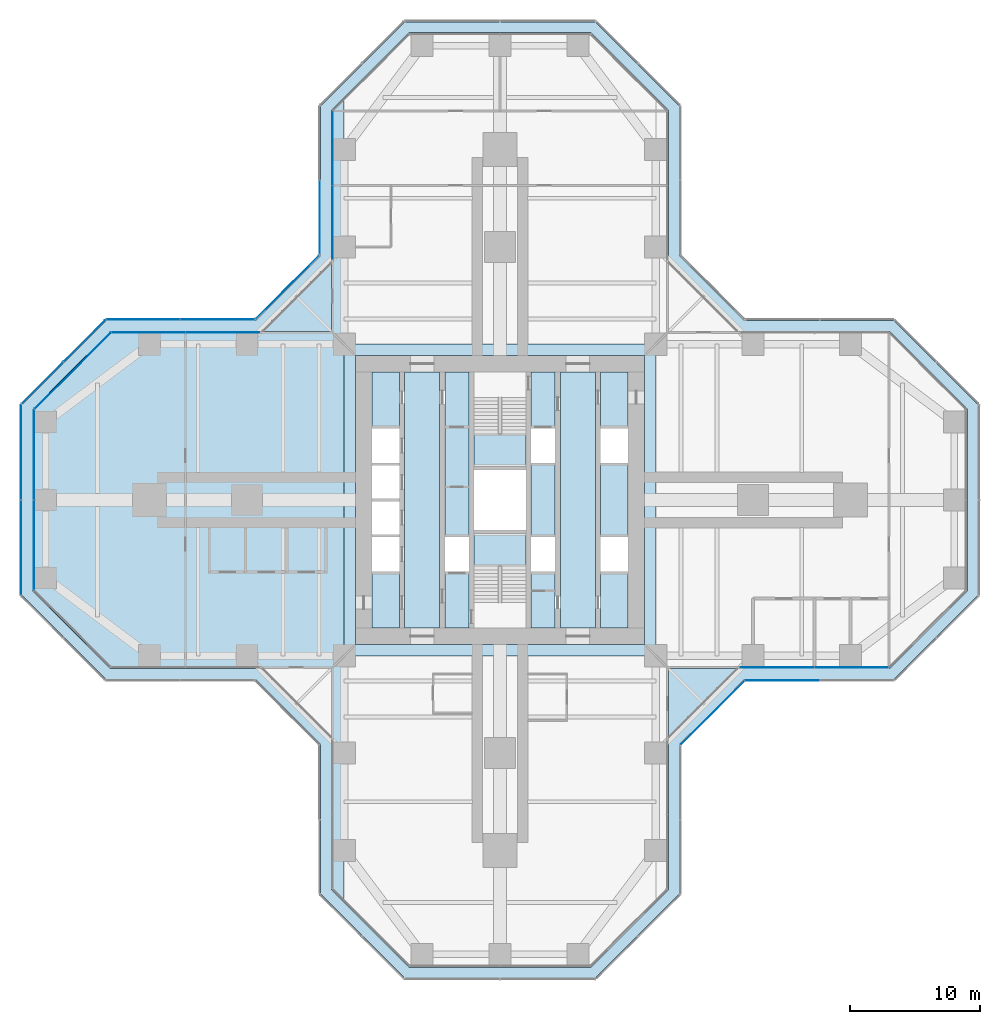
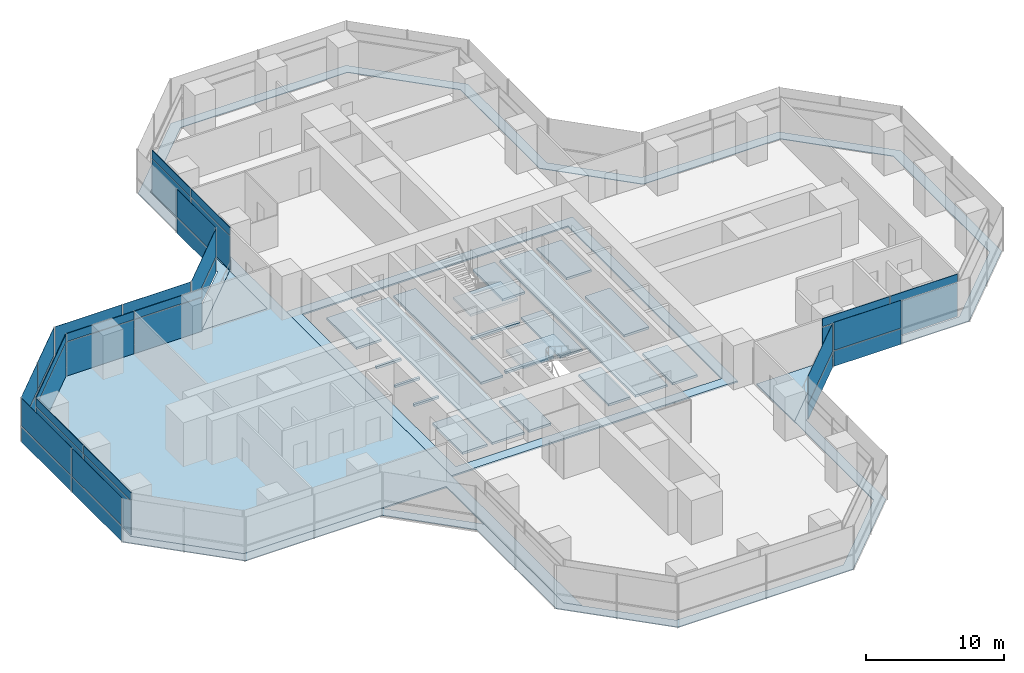
# One storey, part 15 of 22: 39 plates, 7 slabs, 14 elements without a shape of their own.
"""IFC4 building model written with IfcOpenShell, lengths in metres."""

from ifc_helpers import new_model, si_unit, direction, frame, origin, origin_2d, place, context, subcontext, project, spatial, polyline, rectangle, outline, extrude, material, layer, layer_set, type_object, element, aggregate, save


model = new_model("IFC4")

# Units and contexts
model_context = context("Model", 3, precision=1e-05, world=origin(), true_north=direction((0.0, 1.0)))
body_context = subcontext(model_context, "Body", "Model", "MODEL_VIEW")
ifc_project = project(units=[si_unit("LENGTHUNIT", "METRE"), si_unit("AREAUNIT", "SQUARE_METRE"), si_unit("VOLUMEUNIT", "CUBIC_METRE"), si_unit("PLANEANGLEUNIT", "RADIAN"), si_unit("MASSUNIT", "GRAM", prefix="KILO")], contexts=[model_context])

# Site, building, storey
site_placement = place(None, origin())
site = spatial("IfcSite", under=ifc_project, at=site_placement, CompositionType="ELEMENT")
building_placement = place(site_placement, origin())
building = spatial("IfcBuilding", under=site, at=building_placement, Name="Mizan Broadcast Tower", CompositionType="ELEMENT")
storey_placement = place(building_placement, frame((0.0, 0.0, 43.5)))
storey = spatial("IfcBuildingStorey", under=building, at=storey_placement, Name="L07", CompositionType="ELEMENT", Elevation=43.5)

# Plate
ifc_material_1 = material(Name="Aluminium grating", Category="aluminium")
ifc_layer_1 = layer(ifc_material_1, 0.050048828125)
ifc_layer_set_1 = layer_set([ifc_layer_1], Name="Aluminium grating")
plate_type_1 = type_object("IfcPlateType", Name="CAVITY GRATING", PredefinedType="USERDEFINED", material=ifc_layer_set_1)
plate_1_placement = place(storey_placement, frame((0.0, 0.0, -0.050048828125)))
element("IfcPlate", 1, at=plate_1_placement, inside=storey, type_object=plate_type_1, Name="Cavity grating L07", ObjectType="GRATING", PredefinedType="USERDEFINED", context=body_context, shape_type="SweptSolid", body=[
    extrude(outline(polyline([(13.820068359375, -18.839599609375), (18.839599609375, -13.820068359375), (30.339599609375, -13.820068359375), (36.820068359375, -7.339599609375), (36.820068359375, 7.339599609375), (30.339599609375, 13.820068359375), (18.839599609375, 13.820068359375), (13.820068359375, 18.839599609375), (13.820068359375, 30.339599609375), (7.339599609375, 36.820068359375), (-7.339599609375, 36.820068359375), (-13.820068359375, 30.339599609375), (-13.820068359375, 18.839599609375), (-18.839599609375, 13.820068359375), (-30.339599609375, 13.820068359375), (-36.820068359375, 7.339599609375), (-36.820068359375, -7.339599609375), (-30.339599609375, -13.820068359375), (-18.839599609375, -13.820068359375), (-13.820068359375, -18.839599609375), (-13.820068359375, -30.339599609375), (-7.339599609375, -36.820068359375), (7.339599609375, -36.820068359375), (13.820068359375, -30.339599609375), (13.820068359375, -18.839599609375)]), holes=[polyline([(36.0, 7.0), (36.0, -7.0), (30.0, -13.0), (18.5, -13.0), (13.0, -18.5), (13.0, -30.0), (7.0, -36.0), (-7.0, -36.0), (-13.0, -30.0), (-13.0, -18.5), (-18.5, -13.0), (-30.0, -13.0), (-36.0, -7.0), (-36.0, 7.0), (-30.0, 13.0), (-18.5, 13.0), (-13.0, 18.5), (-13.0, 30.0), (-7.0, 36.0), (7.0, 36.0), (13.0, 30.0), (13.0, 18.5), (18.5, 13.0), (30.0, 13.0), (36.0, 7.0)])]), origin(), (0.0, 0.0, 1.0), 0.050048828125),
])

# Slabs
ifc_material_2 = material(Name="Concrete C32/40", Category="concrete")
ifc_layer_2 = layer(ifc_material_2, 0.1298828125)
ifc_layer_set_2 = layer_set([ifc_layer_2], Name="Concrete C32/40")
slab_type_1 = type_object("IfcSlabType", Name="COMPOSITE DECK SLAB 130", PredefinedType="FLOOR", material=ifc_layer_set_2)
slab_1_placement = place(storey_placement, frame((0.0, 0.0, -0.1298828125)))
element("IfcSlab", 2, at=slab_1_placement, inside=storey, type_object=slab_type_1, Name="Floor slab L07 centre", PredefinedType="FLOOR", context=body_context, shape_type="SweptSolid", body=[
    extrude(outline(polyline([(-12.0, -12.0), (12.0, -12.0), (12.0, 12.0), (-12.0, 12.0), (-12.0, -12.0)]), holes=[polyline([(-11.14990234375, 11.14990234375), (11.14990234375, 11.14990234375), (11.14990234375, -11.14990234375), (-11.14990234375, -11.14990234375), (-11.14990234375, 11.14990234375)])]), origin(), (0.0, 0.0, 1.0), 0.1298828125),
])
slab_2_placement = place(storey_placement, frame((0.0, 0.0, -0.1298828125)))
element("IfcSlab", 3, at=slab_2_placement, inside=storey, type_object=slab_type_1, Name="Floor slab L07 west arm", PredefinedType="FLOOR", context=body_context, shape_type="SweptSolid", body=[
    extrude(outline(polyline([(-13.0, -30.0), (-12.0, -31.0), (-12.0, 31.0), (-13.0, 30.0), (-13.0, 13.0), (-30.0, 13.0), (-36.0, 7.0), (-36.0, -7.0), (-30.0, -13.0), (-13.0, -13.0), (-13.0, -30.0)])), origin(), (0.0, 0.0, 1.0), 0.1298828125),
])
ifc_material_3 = material(Name="Concrete C40/50", Category="concrete")
ifc_layer_3 = layer(ifc_material_3, 0.199951171875)
ifc_layer_set_3 = layer_set([ifc_layer_3], Name="Concrete C40/50")
slab_type_2 = type_object("IfcSlabType", Name="CORE FLOOR 200", PredefinedType="FLOOR", material=ifc_layer_set_3)
slab_3_placement = place(storey_placement, frame((0.0, 0.0, -0.199951171875)))
element("IfcSlab", 4, at=slab_3_placement, inside=storey, type_object=slab_type_2, Name="Core floor L07", PredefinedType="FLOOR", context=body_context, shape_type="SweptSolid", body=[
    extrude(outline(polyline([(-9.85009765625, -9.85009765625), (-7.75, -9.85009765625), (-7.75, -5.5), (-9.85009765625, -5.5), (-9.85009765625, -9.85009765625)])), origin(), (0.0, 0.0, 1.0), 0.199951171875),
    extrude(outline(polyline([(-9.85009765625, -2.85009765625), (-7.75, -2.85009765625), (-7.75, -2.64990234375), (-9.85009765625, -2.64990234375), (-9.85009765625, -2.85009765625)])), origin(), (0.0, 0.0, 1.0), 0.199951171875),
    extrude(outline(polyline([(-9.85009765625, -0.10009765625), (-7.75, -0.10009765625), (-7.75, 0.10009765625), (-9.85009765625, 0.10009765625), (-9.85009765625, -0.10009765625)])), origin(), (0.0, 0.0, 1.0), 0.199951171875),
    extrude(outline(polyline([(-9.85009765625, 2.64990234375), (-7.75, 2.64990234375), (-7.75, 2.85009765625), (-9.85009765625, 2.85009765625), (-9.85009765625, 2.64990234375)])), origin(), (0.0, 0.0, 1.0), 0.199951171875),
    extrude(outline(polyline([(-9.85009765625, 5.5), (-7.75, 5.5), (-7.75, 9.85009765625), (-9.85009765625, 9.85009765625), (-9.85009765625, 5.5)])), origin(), (0.0, 0.0, 1.0), 0.199951171875),
    extrude(outline(polyline([(-4.64990234375, 9.85009765625), (-7.35009765625, 9.85009765625), (-7.35009765625, -9.85009765625), (-4.64990234375, -9.85009765625), (-4.64990234375, 9.85009765625)])), origin(), (0.0, 0.0, 1.0), 0.199951171875),
    extrude(outline(polyline([(-4.25, -5.5), (-4.25, -9.85009765625), (-2.39990234375, -9.85009765625), (-2.39990234375, -5.5), (-4.25, -5.5)])), origin(), (0.0, 0.0, 1.0), 0.199951171875),
    extrude(outline(polyline([(-4.25, -2.85009765625), (-2.39990234375, -2.85009765625), (-2.39990234375, 9.85009765625), (-4.25, 9.85009765625), (-4.25, -2.85009765625)])), origin(), (0.0, 0.0, 1.0), 0.199951171875),
    extrude(outline(polyline([(2.0, -2.324951171875), (-2.0, -2.324951171875), (-2.0, -2.574951171875), (2.0, -2.574951171875), (2.0, -2.324951171875)])), origin(), (0.0, 0.0, 1.0), 0.199951171875),
    extrude(outline(polyline([(2.0, 2.574951171875), (-2.0, 2.574951171875), (-2.0, 2.324951171875), (2.0, 2.324951171875), (2.0, 2.574951171875)])), origin(), (0.0, 0.0, 1.0), 0.199951171875),
    extrude(outline(polyline([(4.25, -9.85009765625), (4.25, -5.5), (2.39990234375, -5.5), (2.39990234375, -9.85009765625), (4.25, -9.85009765625)])), origin(), (0.0, 0.0, 1.0), 0.199951171875),
    extrude(outline(polyline([(4.25, -2.85009765625), (4.25, 2.85009765625), (2.39990234375, 2.85009765625), (2.39990234375, -2.85009765625), (4.25, -2.85009765625)])), origin(), (0.0, 0.0, 1.0), 0.199951171875),
    extrude(outline(polyline([(4.25, 5.5), (4.25, 9.85009765625), (2.39990234375, 9.85009765625), (2.39990234375, 5.5), (4.25, 5.5)])), origin(), (0.0, 0.0, 1.0), 0.199951171875),
    extrude(outline(polyline([(4.64990234375, 9.85009765625), (4.64990234375, -9.85009765625), (7.35009765625, -9.85009765625), (7.35009765625, 9.85009765625), (4.64990234375, 9.85009765625)])), origin(), (0.0, 0.0, 1.0), 0.199951171875),
    extrude(outline(polyline([(9.85009765625, -9.85009765625), (9.85009765625, -5.5), (7.75, -5.5), (7.75, -9.85009765625), (9.85009765625, -9.85009765625)])), origin(), (0.0, 0.0, 1.0), 0.199951171875),
    extrude(outline(polyline([(7.75, 2.85009765625), (7.75, -2.85009765625), (9.85009765625, -2.85009765625), (9.85009765625, 2.85009765625), (7.75, 2.85009765625)])), origin(), (0.0, 0.0, 1.0), 0.199951171875),
    extrude(outline(polyline([(9.85009765625, 5.5), (9.85009765625, 9.85009765625), (7.75, 9.85009765625), (7.75, 5.5), (9.85009765625, 5.5)])), origin(), (0.0, 0.0, 1.0), 0.199951171875),
])

# Curtain wall, plates
ifc_material_4 = material(Name="Aluminium framed glazing", Category="aluminium")
curtain_wall_type_1 = type_object("IfcCurtainWallType", Name="INNER SKIN LOW ZONE", PredefinedType="USERDEFINED", material=ifc_material_4)
curtain_wall_1_placement = place(storey_placement, origin())
curtain_wall_1 = element("IfcCurtainWall", 5, at=curtain_wall_1_placement, inside=storey, type_object=curtain_wall_type_1, Name="Inner skin low zone L07 E side", ObjectType="INNER SKIN LOW ZONE", PredefinedType="USERDEFINED")
ifc_material_5 = material(Name="Double glazing, clear low-e", Category="glass")
ifc_layer_4 = layer(ifc_material_5, 0.028076171875)
ifc_layer_set_4 = layer_set([ifc_layer_4], Name="Double glazing, clear low-e")
plate_type_2 = type_object("IfcPlateType", Name="INNER SKIN GLAZING UNIT", PredefinedType="CURTAIN_PANEL", material=ifc_layer_set_4)
plate_2_placement = place(storey_placement, frame((21.379638671875, -12.89990234375, 0.0), z_axis=(0.0, 0.0, 1.0), x_axis=(1.0, 0.0, 0.0)))
plate_2 = element("IfcPlate", 6, at=plate_2_placement, type_object=plate_type_2, Name="Inner skin low zone L07 E side panel 1.1", PredefinedType="CURTAIN_PANEL", context=body_context, shape_type="SweptSolid", body=[
    extrude(rectangle(XDim=5.639404296875, YDim=0.028076171875, at=origin_2d()), origin(), (0.0, 0.0, 1.0), 3.0),
])
plate_3_placement = place(storey_placement, frame((27.078857421875, -12.89990234375, 0.0), z_axis=(0.0, 0.0, 1.0), x_axis=(1.0, 0.0, 0.0)))
plate_3 = element("IfcPlate", 7, at=plate_3_placement, type_object=plate_type_2, Name="Inner skin low zone L07 E side panel 2.1", PredefinedType="CURTAIN_PANEL", context=body_context, shape_type="SweptSolid", body=[
    extrude(rectangle(XDim=5.639404296875, YDim=0.028076171875, at=origin_2d()), origin(), (0.0, 0.0, 1.0), 3.0),
])

curtain_wall_2_placement = place(storey_placement, origin())
curtain_wall_2 = element("IfcCurtainWall", 8, at=curtain_wall_2_placement, inside=storey, type_object=curtain_wall_type_1, Name="Inner skin low zone L07 N side", ObjectType="INNER SKIN LOW ZONE", PredefinedType="USERDEFINED")
plate_4_placement = place(storey_placement, frame((-12.89990234375, 27.078857421875, 0.0), z_axis=(0.0, 0.0, 1.0), x_axis=(0.0, -1.0, 0.0)))
plate_4 = element("IfcPlate", 9, at=plate_4_placement, type_object=plate_type_2, Name="Inner skin low zone L07 N side panel 1.1", PredefinedType="CURTAIN_PANEL", context=body_context, shape_type="SweptSolid", body=[
    extrude(rectangle(XDim=5.639404296875, YDim=0.028076171875, at=origin_2d()), origin(), (0.0, 0.0, 1.0), 3.0),
])
plate_5_placement = place(storey_placement, frame((-12.89990234375, 21.379638671875, 0.0), z_axis=(0.0, 0.0, 1.0), x_axis=(0.0, -1.0, 0.0)))
plate_5 = element("IfcPlate", 10, at=plate_5_placement, type_object=plate_type_2, Name="Inner skin low zone L07 N side panel 2.1", PredefinedType="CURTAIN_PANEL", context=body_context, shape_type="SweptSolid", body=[
    extrude(rectangle(XDim=5.639404296875, YDim=0.028076171875, at=origin_2d()), origin(), (0.0, 0.0, 1.0), 3.0),
])

curtain_wall_3_placement = place(storey_placement, origin())
curtain_wall_3 = element("IfcCurtainWall", 11, at=curtain_wall_3_placement, inside=storey, type_object=curtain_wall_type_1, Name="Inner skin low zone L07 W side", ObjectType="INNER SKIN LOW ZONE", PredefinedType="USERDEFINED")
plate_6_placement = place(storey_placement, frame((-21.379638671875, 12.89990234375, 0.0), z_axis=(0.0, 0.0, 1.0), x_axis=(-1.0, 0.0, 0.0)))
plate_6 = element("IfcPlate", 12, at=plate_6_placement, type_object=plate_type_2, Name="Inner skin low zone L07 W side panel 1.1", PredefinedType="CURTAIN_PANEL", context=body_context, shape_type="SweptSolid", body=[
    extrude(rectangle(XDim=5.639404296875, YDim=0.028076171875, at=origin_2d()), origin(), (0.0, 0.0, 1.0), 3.0),
])
plate_7_placement = place(storey_placement, frame((-27.078857421875, 12.89990234375, 0.0), z_axis=(0.0, 0.0, 1.0), x_axis=(-1.0, 0.0, 0.0)))
plate_7 = element("IfcPlate", 13, at=plate_7_placement, type_object=plate_type_2, Name="Inner skin low zone L07 W side panel 2.1", PredefinedType="CURTAIN_PANEL", context=body_context, shape_type="SweptSolid", body=[
    extrude(rectangle(XDim=5.639404296875, YDim=0.028076171875, at=origin_2d()), origin(), (0.0, 0.0, 1.0), 3.0),
])

# Curtain wall, plate
curtain_wall_4_placement = place(storey_placement, origin())
curtain_wall_4 = element("IfcCurtainWall", 14, at=curtain_wall_4_placement, inside=storey, type_object=curtain_wall_type_1, Name="Inner skin low zone L07 W chamfer", ObjectType="INNER SKIN LOW ZONE", PredefinedType="USERDEFINED")
plate_8_placement = place(storey_placement, frame((-32.92919921875, 9.92919921875, 0.0), z_axis=(0.0, 0.0, 1.0), x_axis=(-0.707106781187, -0.707106781187, 0.0)))
plate_8 = element("IfcPlate", 15, at=plate_8_placement, type_object=plate_type_2, Name="Inner skin low zone L07 W chamfer panel 1.1", PredefinedType="CURTAIN_PANEL", context=body_context, shape_type="SweptSolid", body=[
    extrude(rectangle(XDim=8.282470703125, YDim=0.028076171875, at=origin_2d()), origin(), (0.0, 0.0, 1.0), 3.0),
])

# Curtain wall, plates
curtain_wall_5_placement = place(storey_placement, origin())
curtain_wall_5 = element("IfcCurtainWall", 16, at=curtain_wall_5_placement, inside=storey, type_object=curtain_wall_type_1, Name="Inner skin low zone L07 W end", ObjectType="INNER SKIN LOW ZONE", PredefinedType="USERDEFINED")
plate_9_placement = place(storey_placement, frame((-35.89990234375, 3.46435546875, 0.0), z_axis=(0.0, 0.0, 1.0), x_axis=(0.0, -1.0, 0.0)))
plate_9 = element("IfcPlate", 17, at=plate_9_placement, type_object=plate_type_2, Name="Inner skin low zone L07 W end panel 1.1", PredefinedType="CURTAIN_PANEL", context=body_context, shape_type="SweptSolid", body=[
    extrude(rectangle(XDim=6.86865234375, YDim=0.028076171875, at=origin_2d()), origin(), (0.0, 0.0, 1.0), 3.0),
])
plate_10_placement = place(storey_placement, frame((-35.89990234375, -3.46435546875, 0.0), z_axis=(0.0, 0.0, 1.0), x_axis=(0.0, -1.0, 0.0)))
plate_10 = element("IfcPlate", 18, at=plate_10_placement, type_object=plate_type_2, Name="Inner skin low zone L07 W end panel 2.1", PredefinedType="CURTAIN_PANEL", context=body_context, shape_type="SweptSolid", body=[
    extrude(rectangle(XDim=6.86865234375, YDim=0.028076171875, at=origin_2d()), origin(), (0.0, 0.0, 1.0), 3.0),
])

# Plate
ifc_material_6 = material(Name="Insulated aluminium spandrel panel, pale anodised", Category="aluminium")
ifc_layer_5 = layer(ifc_material_6, 0.050048828125)
ifc_layer_set_5 = layer_set([ifc_layer_5], Name="Insulated aluminium spandrel panel, pale anodised")
plate_type_3 = type_object("IfcPlateType", Name="INNER SKIN SPANDREL PANEL", PredefinedType="CURTAIN_PANEL", material=ifc_layer_set_5)
plate_11_placement = place(storey_placement, frame((21.379638671875, -12.89990234375, 3.06005859375), z_axis=(0.0, 0.0, 1.0), x_axis=(1.0, 0.0, 0.0)))
plate_11 = element("IfcPlate", 19, at=plate_11_placement, type_object=plate_type_3, Name="Inner skin low zone L07 E side panel 1.2", PredefinedType="CURTAIN_PANEL", context=body_context, shape_type="SweptSolid", body=[
    extrude(rectangle(XDim=5.639404296875, YDim=0.050048828125, at=origin_2d()), origin(), (0.0, 0.0, 1.0), 0.7099609375),
])

plate_12_placement = place(storey_placement, frame((27.078857421875, -12.89990234375, 3.06005859375), z_axis=(0.0, 0.0, 1.0), x_axis=(1.0, 0.0, 0.0)))
plate_12 = element("IfcPlate", 20, at=plate_12_placement, type_object=plate_type_3, Name="Inner skin low zone L07 E side panel 2.2", PredefinedType="CURTAIN_PANEL", context=body_context, shape_type="SweptSolid", body=[
    extrude(rectangle(XDim=5.639404296875, YDim=0.050048828125, at=origin_2d()), origin(), (0.0, 0.0, 1.0), 0.7099609375),
])

aggregate(curtain_wall_1, [plate_2, plate_11, plate_3, plate_12])

plate_13_placement = place(storey_placement, frame((-12.89990234375, 27.078857421875, 3.06005859375), z_axis=(0.0, 0.0, 1.0), x_axis=(0.0, -1.0, 0.0)))
plate_13 = element("IfcPlate", 21, at=plate_13_placement, type_object=plate_type_3, Name="Inner skin low zone L07 N side panel 1.2", PredefinedType="CURTAIN_PANEL", context=body_context, shape_type="SweptSolid", body=[
    extrude(rectangle(XDim=5.639404296875, YDim=0.050048828125, at=origin_2d()), origin(), (0.0, 0.0, 1.0), 0.7099609375),
])

plate_14_placement = place(storey_placement, frame((-12.89990234375, 21.379638671875, 3.06005859375), z_axis=(0.0, 0.0, 1.0), x_axis=(0.0, -1.0, 0.0)))
plate_14 = element("IfcPlate", 22, at=plate_14_placement, type_object=plate_type_3, Name="Inner skin low zone L07 N side panel 2.2", PredefinedType="CURTAIN_PANEL", context=body_context, shape_type="SweptSolid", body=[
    extrude(rectangle(XDim=5.639404296875, YDim=0.050048828125, at=origin_2d()), origin(), (0.0, 0.0, 1.0), 0.7099609375),
])

aggregate(curtain_wall_2, [plate_4, plate_13, plate_5, plate_14])

plate_15_placement = place(storey_placement, frame((-21.379638671875, 12.89990234375, 3.06005859375), z_axis=(0.0, 0.0, 1.0), x_axis=(-1.0, 0.0, 0.0)))
plate_15 = element("IfcPlate", 23, at=plate_15_placement, type_object=plate_type_3, Name="Inner skin low zone L07 W side panel 1.2", PredefinedType="CURTAIN_PANEL", context=body_context, shape_type="SweptSolid", body=[
    extrude(rectangle(XDim=5.639404296875, YDim=0.050048828125, at=origin_2d()), origin(), (0.0, 0.0, 1.0), 0.7099609375),
])

plate_16_placement = place(storey_placement, frame((-27.078857421875, 12.89990234375, 3.06005859375), z_axis=(0.0, 0.0, 1.0), x_axis=(-1.0, 0.0, 0.0)))
plate_16 = element("IfcPlate", 24, at=plate_16_placement, type_object=plate_type_3, Name="Inner skin low zone L07 W side panel 2.2", PredefinedType="CURTAIN_PANEL", context=body_context, shape_type="SweptSolid", body=[
    extrude(rectangle(XDim=5.639404296875, YDim=0.050048828125, at=origin_2d()), origin(), (0.0, 0.0, 1.0), 0.7099609375),
])

aggregate(curtain_wall_3, [plate_6, plate_15, plate_7, plate_16])

plate_17_placement = place(storey_placement, frame((-32.92919921875, 9.92919921875, 3.06005859375), z_axis=(0.0, 0.0, 1.0), x_axis=(-0.707106781187, -0.707106781187, 0.0)))
plate_17 = element("IfcPlate", 25, at=plate_17_placement, type_object=plate_type_3, Name="Inner skin low zone L07 W chamfer panel 1.2", PredefinedType="CURTAIN_PANEL", context=body_context, shape_type="SweptSolid", body=[
    extrude(rectangle(XDim=8.282470703125, YDim=0.050048828125, at=origin_2d()), origin(), (0.0, 0.0, 1.0), 0.7099609375),
])

aggregate(curtain_wall_4, [plate_8, plate_17])

plate_18_placement = place(storey_placement, frame((-35.89990234375, 3.46435546875, 3.06005859375), z_axis=(0.0, 0.0, 1.0), x_axis=(0.0, -1.0, 0.0)))
plate_18 = element("IfcPlate", 26, at=plate_18_placement, type_object=plate_type_3, Name="Inner skin low zone L07 W end panel 1.2", PredefinedType="CURTAIN_PANEL", context=body_context, shape_type="SweptSolid", body=[
    extrude(rectangle(XDim=6.86865234375, YDim=0.050048828125, at=origin_2d()), origin(), (0.0, 0.0, 1.0), 0.7099609375),
])

plate_19_placement = place(storey_placement, frame((-35.89990234375, -3.46435546875, 3.06005859375), z_axis=(0.0, 0.0, 1.0), x_axis=(0.0, -1.0, 0.0)))
plate_19 = element("IfcPlate", 27, at=plate_19_placement, type_object=plate_type_3, Name="Inner skin low zone L07 W end panel 2.2", PredefinedType="CURTAIN_PANEL", context=body_context, shape_type="SweptSolid", body=[
    extrude(rectangle(XDim=6.86865234375, YDim=0.050048828125, at=origin_2d()), origin(), (0.0, 0.0, 1.0), 0.7099609375),
])

aggregate(curtain_wall_5, [plate_9, plate_18, plate_10, plate_19])

# Curtain wall, plates
ifc_material_7 = material(Name="Aluminium framed glazing", Category="aluminium")
curtain_wall_type_2 = type_object("IfcCurtainWallType", Name="OUTER SKIN", PredefinedType="USERDEFINED", material=ifc_material_7)
curtain_wall_6_placement = place(storey_placement, origin())
curtain_wall_6 = element("IfcCurtainWall", 28, at=curtain_wall_6_placement, inside=storey, type_object=curtain_wall_type_2, Name="Outer skin L07 W chamfer", ObjectType="OUTER SKIN", PredefinedType="USERDEFINED")
ifc_material_8 = material(Name="Laminated clear glass", Category="glass")
ifc_layer_6 = layer(ifc_material_8, 0.02001953125)
ifc_layer_set_6 = layer_set([ifc_layer_6], Name="Laminated clear glass")
plate_type_4 = type_object("IfcPlateType", Name="OUTER SKIN CLEAR GLASS", PredefinedType="CURTAIN_PANEL", material=ifc_layer_set_6)
plate_20_placement = place(storey_placement, frame((-16.386474609375, 16.386474609375, 0.0), z_axis=(0.0, 0.0, 1.0), x_axis=(-0.707106781187, -0.707106781187, 0.0)))
plate_20 = element("IfcPlate", 29, at=plate_20_placement, type_object=plate_type_4, Name="Outer skin L07 W chamfer panel 1.1", PredefinedType="CURTAIN_PANEL", context=body_context, shape_type="SweptSolid", body=[
    extrude(rectangle(XDim=6.87255859375, YDim=0.02001953125, at=origin_2d()), origin(), (0.0, 0.0, 1.0), 1.3701171875),
])
plate_21_placement = place(storey_placement, frame((-16.386474609375, 16.386474609375, 1.43017578125), z_axis=(0.0, 0.0, 1.0), x_axis=(-0.707106781187, -0.707106781187, 0.0)))
plate_21 = element("IfcPlate", 30, at=plate_21_placement, type_object=plate_type_4, Name="Outer skin L07 W chamfer panel 1.2", PredefinedType="CURTAIN_PANEL", context=body_context, shape_type="SweptSolid", body=[
    extrude(rectangle(XDim=6.87255859375, YDim=0.02001953125, at=origin_2d()), origin(), (0.0, 0.0, 1.0), 2.469970703125),
])
aggregate(curtain_wall_6, [plate_20, plate_21])

curtain_wall_7_placement = place(storey_placement, origin())
curtain_wall_7 = element("IfcCurtainWall", 31, at=curtain_wall_7_placement, inside=storey, type_object=curtain_wall_type_2, Name="Outer skin L07 W side", ObjectType="OUTER SKIN", PredefinedType="USERDEFINED")
plate_22_placement = place(storey_placement, frame((-21.767822265625, 13.89990234375, 0.0), z_axis=(0.0, 0.0, 1.0), x_axis=(-1.0, 0.0, 0.0)))
plate_22 = element("IfcPlate", 32, at=plate_22_placement, type_object=plate_type_4, Name="Outer skin L07 W side panel 1.1", PredefinedType="CURTAIN_PANEL", context=body_context, shape_type="SweptSolid", body=[
    extrude(rectangle(XDim=5.6298828125, YDim=0.02001953125, at=origin_2d()), origin(), (0.0, 0.0, 1.0), 1.3701171875),
])
plate_23_placement = place(storey_placement, frame((-21.767822265625, 13.89990234375, 1.43017578125), z_axis=(0.0, 0.0, 1.0), x_axis=(-1.0, 0.0, 0.0)))
plate_23 = element("IfcPlate", 33, at=plate_23_placement, type_object=plate_type_4, Name="Outer skin L07 W side panel 1.2", PredefinedType="CURTAIN_PANEL", context=body_context, shape_type="SweptSolid", body=[
    extrude(rectangle(XDim=5.6298828125, YDim=0.02001953125, at=origin_2d()), origin(), (0.0, 0.0, 1.0), 2.469970703125),
])
plate_24_placement = place(storey_placement, frame((-27.477783203125, 13.89990234375, 0.0), z_axis=(0.0, 0.0, 1.0), x_axis=(-1.0, 0.0, 0.0)))
plate_24 = element("IfcPlate", 34, at=plate_24_placement, type_object=plate_type_4, Name="Outer skin L07 W side panel 2.1", PredefinedType="CURTAIN_PANEL", context=body_context, shape_type="SweptSolid", body=[
    extrude(rectangle(XDim=5.6298828125, YDim=0.02001953125, at=origin_2d()), origin(), (0.0, 0.0, 1.0), 1.3701171875),
])
plate_25_placement = place(storey_placement, frame((-27.477783203125, 13.89990234375, 1.43017578125), z_axis=(0.0, 0.0, 1.0), x_axis=(-1.0, 0.0, 0.0)))
plate_25 = element("IfcPlate", 35, at=plate_25_placement, type_object=plate_type_4, Name="Outer skin L07 W side panel 2.2", PredefinedType="CURTAIN_PANEL", context=body_context, shape_type="SweptSolid", body=[
    extrude(rectangle(XDim=5.6298828125, YDim=0.02001953125, at=origin_2d()), origin(), (0.0, 0.0, 1.0), 2.469970703125),
])
aggregate(curtain_wall_7, [plate_22, plate_23, plate_24, plate_25])

curtain_wall_8_placement = place(storey_placement, origin())
curtain_wall_8 = element("IfcCurtainWall", 36, at=curtain_wall_8_placement, inside=storey, type_object=curtain_wall_type_2, Name="Outer skin L07 W chamfer", ObjectType="OUTER SKIN", PredefinedType="USERDEFINED")
plate_26_placement = place(storey_placement, frame((-32.018798828125, 12.254150390625, 0.0), z_axis=(0.0, 0.0, 1.0), x_axis=(-0.707106781187, -0.707106781187, 0.0)))
plate_26 = element("IfcPlate", 37, at=plate_26_placement, type_object=plate_type_4, Name="Outer skin L07 W chamfer panel 1.1", PredefinedType="CURTAIN_PANEL", context=body_context, shape_type="SweptSolid", body=[
    extrude(rectangle(XDim=4.495361328125, YDim=0.02001953125, at=origin_2d()), origin(), (0.0, 0.0, 1.0), 1.3701171875),
])
plate_27_placement = place(storey_placement, frame((-32.018798828125, 12.254150390625, 1.43017578125), z_axis=(0.0, 0.0, 1.0), x_axis=(-0.707106781187, -0.707106781187, 0.0)))
plate_27 = element("IfcPlate", 38, at=plate_27_placement, type_object=plate_type_4, Name="Outer skin L07 W chamfer panel 1.2", PredefinedType="CURTAIN_PANEL", context=body_context, shape_type="SweptSolid", body=[
    extrude(rectangle(XDim=4.495361328125, YDim=0.02001953125, at=origin_2d()), origin(), (0.0, 0.0, 1.0), 2.469970703125),
])

curtain_wall_9_placement = place(storey_placement, origin())
curtain_wall_9 = element("IfcCurtainWall", 39, at=curtain_wall_9_placement, inside=storey, type_object=curtain_wall_type_2, Name="Outer skin L07 W end", ObjectType="OUTER SKIN", PredefinedType="USERDEFINED")
plate_28_placement = place(storey_placement, frame((-36.89990234375, 3.66650390625, 0.0), z_axis=(0.0, 0.0, 1.0), x_axis=(0.0, -1.0, 0.0)))
plate_28 = element("IfcPlate", 40, at=plate_28_placement, type_object=plate_type_4, Name="Outer skin L07 W end panel 1.1", PredefinedType="CURTAIN_PANEL", context=body_context, shape_type="SweptSolid", body=[
    extrude(rectangle(XDim=7.252685546875, YDim=0.02001953125, at=origin_2d()), origin(), (0.0, 0.0, 1.0), 1.3701171875),
])
plate_29_placement = place(storey_placement, frame((-36.89990234375, 3.66650390625, 1.43017578125), z_axis=(0.0, 0.0, 1.0), x_axis=(0.0, -1.0, 0.0)))
plate_29 = element("IfcPlate", 41, at=plate_29_placement, type_object=plate_type_4, Name="Outer skin L07 W end panel 1.2", PredefinedType="CURTAIN_PANEL", context=body_context, shape_type="SweptSolid", body=[
    extrude(rectangle(XDim=7.252685546875, YDim=0.02001953125, at=origin_2d()), origin(), (0.0, 0.0, 1.0), 2.469970703125),
])

curtain_wall_10_placement = place(storey_placement, origin())
curtain_wall_10 = element("IfcCurtainWall", 42, at=curtain_wall_10_placement, inside=storey, type_object=curtain_wall_type_2, Name="Outer skin L07 E chamfer", ObjectType="OUTER SKIN", PredefinedType="USERDEFINED")
plate_30_placement = place(storey_placement, frame((16.386474609375, -16.386474609375, 0.0), z_axis=(0.0, 0.0, 1.0), x_axis=(0.707106781187, 0.707106781187, 0.0)))
plate_30 = element("IfcPlate", 43, at=plate_30_placement, type_object=plate_type_4, Name="Outer skin L07 E chamfer panel 1.1", PredefinedType="CURTAIN_PANEL", context=body_context, shape_type="SweptSolid", body=[
    extrude(rectangle(XDim=6.87255859375, YDim=0.02001953125, at=origin_2d()), origin(), (0.0, 0.0, 1.0), 1.3701171875),
])
plate_31_placement = place(storey_placement, frame((16.386474609375, -16.386474609375, 1.43017578125), z_axis=(0.0, 0.0, 1.0), x_axis=(0.707106781187, 0.707106781187, 0.0)))
plate_31 = element("IfcPlate", 44, at=plate_31_placement, type_object=plate_type_4, Name="Outer skin L07 E chamfer panel 1.2", PredefinedType="CURTAIN_PANEL", context=body_context, shape_type="SweptSolid", body=[
    extrude(rectangle(XDim=6.87255859375, YDim=0.02001953125, at=origin_2d()), origin(), (0.0, 0.0, 1.0), 2.469970703125),
])
aggregate(curtain_wall_10, [plate_30, plate_31])

curtain_wall_11_placement = place(storey_placement, origin())
curtain_wall_11 = element("IfcCurtainWall", 45, at=curtain_wall_11_placement, inside=storey, type_object=curtain_wall_type_2, Name="Outer skin L07 E side", ObjectType="OUTER SKIN", PredefinedType="USERDEFINED")
plate_32_placement = place(storey_placement, frame((21.767822265625, -13.89990234375, 0.0), z_axis=(0.0, 0.0, 1.0), x_axis=(1.0, 0.0, 0.0)))
plate_32 = element("IfcPlate", 46, at=plate_32_placement, type_object=plate_type_4, Name="Outer skin L07 E side panel 1.1", PredefinedType="CURTAIN_PANEL", context=body_context, shape_type="SweptSolid", body=[
    extrude(rectangle(XDim=5.6298828125, YDim=0.02001953125, at=origin_2d()), origin(), (0.0, 0.0, 1.0), 1.3701171875),
])
plate_33_placement = place(storey_placement, frame((21.767822265625, -13.89990234375, 1.43017578125), z_axis=(0.0, 0.0, 1.0), x_axis=(1.0, 0.0, 0.0)))
plate_33 = element("IfcPlate", 47, at=plate_33_placement, type_object=plate_type_4, Name="Outer skin L07 E side panel 1.2", PredefinedType="CURTAIN_PANEL", context=body_context, shape_type="SweptSolid", body=[
    extrude(rectangle(XDim=5.6298828125, YDim=0.02001953125, at=origin_2d()), origin(), (0.0, 0.0, 1.0), 2.469970703125),
])
aggregate(curtain_wall_11, [plate_32, plate_33])

curtain_wall_12_placement = place(storey_placement, origin())
curtain_wall_12 = element("IfcCurtainWall", 48, at=curtain_wall_12_placement, inside=storey, type_object=curtain_wall_type_2, Name="Outer skin L07 N side", ObjectType="OUTER SKIN", PredefinedType="USERDEFINED")
ifc_material_9 = material(Name="Perforated aluminium, pale anodised", Category="aluminium")
ifc_layer_7 = layer(ifc_material_9, 0.011962890625)
ifc_layer_set_7 = layer_set([ifc_layer_7], Name="Perforated aluminium, pale anodised")
plate_type_5 = type_object("IfcPlateType", Name="OUTER SKIN PERFORATED SCREEN", PredefinedType="USERDEFINED", material=ifc_layer_set_7)
plate_34_placement = place(storey_placement, frame((-13.89990234375, 21.767822265625, 0.0), z_axis=(0.0, 0.0, 1.0), x_axis=(0.0, -1.0, 0.0)))
plate_34 = element("IfcPlate", 49, at=plate_34_placement, type_object=plate_type_5, Name="Outer skin L07 N side panel 2.1", ObjectType="SCREEN", PredefinedType="USERDEFINED", context=body_context, shape_type="SweptSolid", body=[
    extrude(rectangle(XDim=5.6298828125, YDim=0.011962890625, at=origin_2d()), origin(), (0.0, 0.0, 1.0), 1.3701171875),
])
plate_35_placement = place(storey_placement, frame((-13.89990234375, 21.767822265625, 1.43017578125), z_axis=(0.0, 0.0, 1.0), x_axis=(0.0, -1.0, 0.0)))
plate_35 = element("IfcPlate", 50, at=plate_35_placement, type_object=plate_type_5, Name="Outer skin L07 N side panel 2.2", ObjectType="SCREEN", PredefinedType="USERDEFINED", context=body_context, shape_type="SweptSolid", body=[
    extrude(rectangle(XDim=5.6298828125, YDim=0.011962890625, at=origin_2d()), origin(), (0.0, 0.0, 1.0), 2.469970703125),
])
aggregate(curtain_wall_12, [plate_34, plate_35])

# Plate
plate_36_placement = place(storey_placement, frame((-35.254150390625, 9.018798828125, 0.0), z_axis=(0.0, 0.0, 1.0), x_axis=(-0.707106781187, -0.707106781187, 0.0)))
plate_36 = element("IfcPlate", 51, at=plate_36_placement, type_object=plate_type_5, Name="Outer skin L07 W chamfer panel 2.1", ObjectType="SCREEN", PredefinedType="USERDEFINED", context=body_context, shape_type="SweptSolid", body=[
    extrude(rectangle(XDim=4.495361328125, YDim=0.011962890625, at=origin_2d()), origin(), (0.0, 0.0, 1.0), 1.3701171875),
])

plate_37_placement = place(storey_placement, frame((-35.254150390625, 9.018798828125, 1.43017578125), z_axis=(0.0, 0.0, 1.0), x_axis=(-0.707106781187, -0.707106781187, 0.0)))
plate_37 = element("IfcPlate", 52, at=plate_37_placement, type_object=plate_type_5, Name="Outer skin L07 W chamfer panel 2.2", ObjectType="SCREEN", PredefinedType="USERDEFINED", context=body_context, shape_type="SweptSolid", body=[
    extrude(rectangle(XDim=4.495361328125, YDim=0.011962890625, at=origin_2d()), origin(), (0.0, 0.0, 1.0), 2.469970703125),
])

aggregate(curtain_wall_8, [plate_26, plate_27, plate_36, plate_37])

plate_38_placement = place(storey_placement, frame((-36.89990234375, -3.66650390625, 0.0), z_axis=(0.0, 0.0, 1.0), x_axis=(0.0, -1.0, 0.0)))
plate_38 = element("IfcPlate", 53, at=plate_38_placement, type_object=plate_type_5, Name="Outer skin L07 W end panel 2.1", ObjectType="SCREEN", PredefinedType="USERDEFINED", context=body_context, shape_type="SweptSolid", body=[
    extrude(rectangle(XDim=7.252685546875, YDim=0.011962890625, at=origin_2d()), origin(), (0.0, 0.0, 1.0), 1.3701171875),
])

plate_39_placement = place(storey_placement, frame((-36.89990234375, -3.66650390625, 1.43017578125), z_axis=(0.0, 0.0, 1.0), x_axis=(0.0, -1.0, 0.0)))
plate_39 = element("IfcPlate", 54, at=plate_39_placement, type_object=plate_type_5, Name="Outer skin L07 W end panel 2.2", ObjectType="SCREEN", PredefinedType="USERDEFINED", context=body_context, shape_type="SweptSolid", body=[
    extrude(rectangle(XDim=7.252685546875, YDim=0.011962890625, at=origin_2d()), origin(), (0.0, 0.0, 1.0), 2.469970703125),
])

aggregate(curtain_wall_9, [plate_28, plate_29, plate_38, plate_39])

# Stair, slab
ifc_material_10 = material(Name="Concrete C40/50", Category="concrete")
stair_type = type_object("IfcStairType", Name="EXIT STAIR", PredefinedType="HALF_TURN_STAIR", material=ifc_material_10)
stair_1_placement = place(storey_placement, origin())
stair_1 = element("IfcStair", 55, at=stair_1_placement, inside=storey, type_object=stair_type, Name="Stair A L07", PredefinedType="HALF_TURN_STAIR")
ifc_material_11 = material(Name="Concrete C40/50", Category="concrete")
ifc_layer_8 = layer(ifc_material_11, 0.199951171875)
ifc_layer_set_8 = layer_set([ifc_layer_8], Name="Concrete C40/50")
slab_type_3 = type_object("IfcSlabType", Name="STAIR LANDING 200", PredefinedType="LANDING", material=ifc_layer_set_8)
slab_4_placement = place(storey_placement, frame((0.0, 0.0, 1.75)))
slab_4 = element("IfcSlab", 56, at=slab_4_placement, type_object=slab_type_3, Name="A landing 2", PredefinedType="LANDING", context=body_context, shape_type="SweptSolid", body=[
    extrude(outline(polyline([(-2.0, -5.10009765625), (-2.0, -2.574951171875), (2.0, -2.574951171875), (2.0, -5.10009765625), (-2.0, -5.10009765625)])), origin(), (0.0, 0.0, 1.0), 0.199951171875),
])
aggregate(stair_1, [slab_4])

stair_2_placement = place(storey_placement, origin())
stair_2 = element("IfcStair", 57, at=stair_2_placement, inside=storey, type_object=stair_type, Name="Stair B L07", PredefinedType="HALF_TURN_STAIR")
slab_5_placement = place(storey_placement, frame((0.0, 0.0, 1.75)))
slab_5 = element("IfcSlab", 58, at=slab_5_placement, type_object=slab_type_3, Name="B landing 2", PredefinedType="LANDING", context=body_context, shape_type="SweptSolid", body=[
    extrude(outline(polyline([(2.0, 5.10009765625), (2.0, 2.574951171875), (-2.0, 2.574951171875), (-2.0, 5.10009765625), (2.0, 5.10009765625)])), origin(), (0.0, 0.0, 1.0), 0.199951171875),
])
aggregate(stair_2, [slab_5])

# Slabs
ifc_material_12 = material(Name="Concrete C32/40", Category="concrete")
ifc_layer_9 = layer(ifc_material_12, 0.1298828125)
ifc_layer_set_9 = layer_set([ifc_layer_9], Name="Concrete C32/40")
slab_type_4 = type_object("IfcSlabType", Name="WINTER GARDEN SLAB 130", PredefinedType="FLOOR", material=ifc_layer_set_9)
slab_6_placement = place(storey_placement, frame((0.0, 0.0, -0.1298828125)))
element("IfcSlab", 59, at=slab_6_placement, inside=storey, type_object=slab_type_4, Name="Winter garden slab L07 N", PredefinedType="FLOOR", context=body_context, shape_type="SweptSolid", body=[
    extrude(outline(polyline([(-13.0, 13.0), (-13.0, 18.5), (-18.5, 13.0), (-13.0, 13.0)])), origin(), (0.0, 0.0, 1.0), 0.1298828125),
])
slab_7_placement = place(storey_placement, frame((0.0, 0.0, -0.1298828125)))
element("IfcSlab", 60, at=slab_7_placement, inside=storey, type_object=slab_type_4, Name="Winter garden slab L07 S", PredefinedType="FLOOR", context=body_context, shape_type="SweptSolid", body=[
    extrude(outline(polyline([(13.0, -13.0), (13.0, -18.5), (18.5, -13.0), (13.0, -13.0)])), origin(), (0.0, 0.0, 1.0), 0.1298828125),
])

save(model, "model.ifc")
